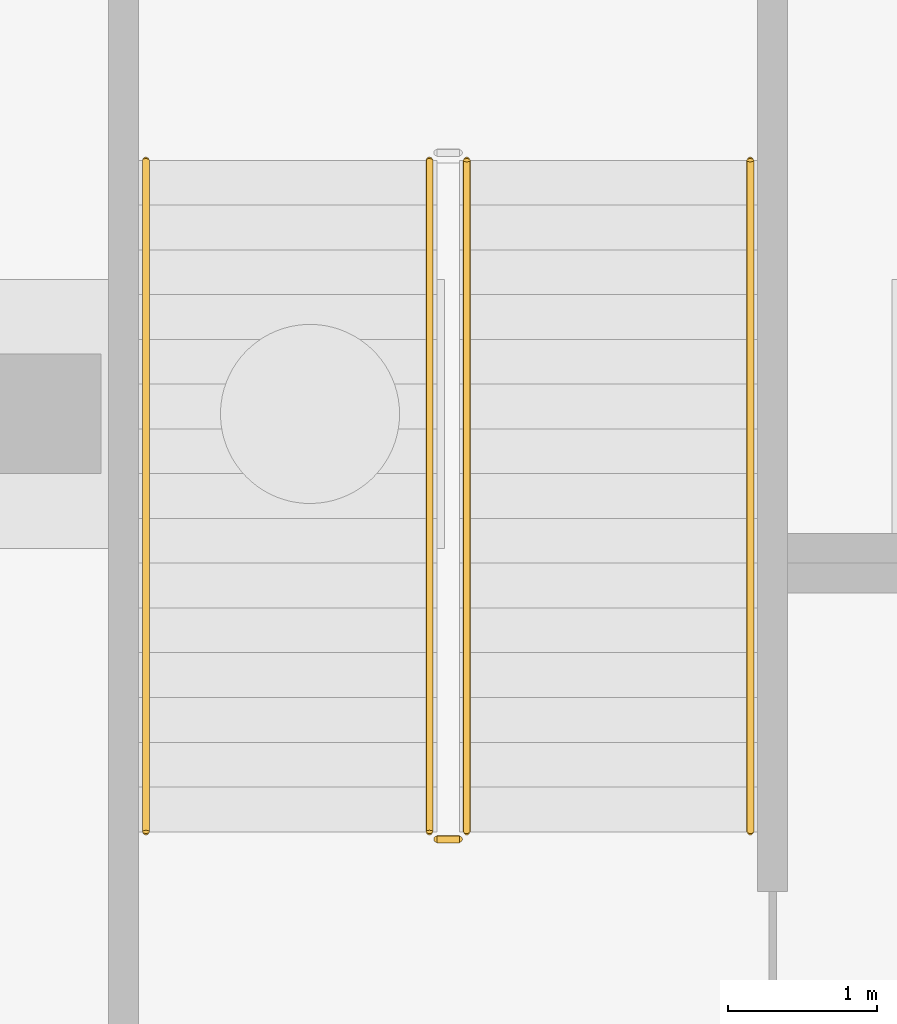
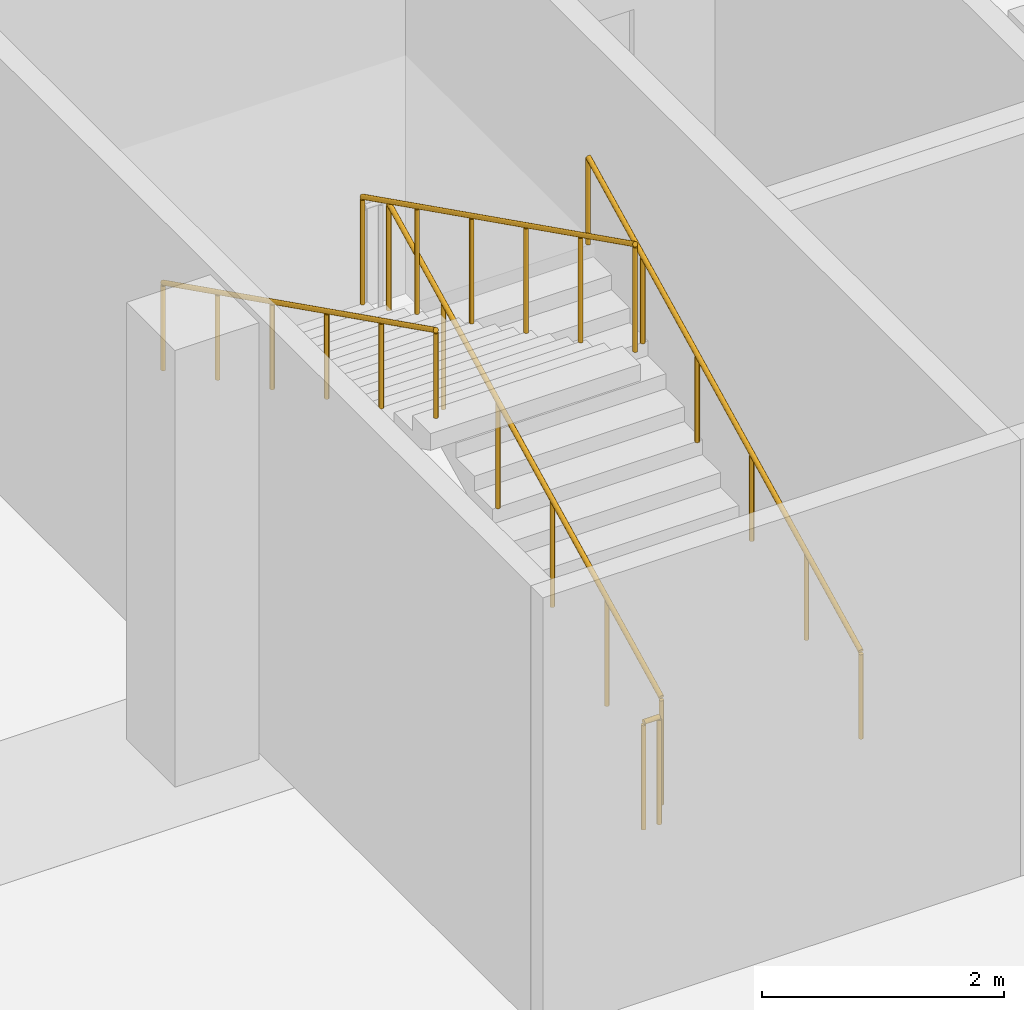
# One storey, part 32 of 46: 5 railings.
"""IFC4 building model written with IfcOpenShell, lengths in metres."""

from ifc_helpers import new_model, si_unit, direction, frame, origin, origin_2d, place, context, subcontext, project, spatial, circle, extrude, material, type_object, element, save


model = new_model("IFC4")

# Units and contexts
model_context = context("Model", 3, precision=1e-05, world=origin(), true_north=direction((0.0, 1.0)))
body_context = subcontext(model_context, "Body", "Model", "MODEL_VIEW")
ifc_project = project(units=[si_unit("LENGTHUNIT", "METRE"), si_unit("AREAUNIT", "SQUARE_METRE"), si_unit("VOLUMEUNIT", "CUBIC_METRE"), si_unit("PLANEANGLEUNIT", "RADIAN"), si_unit("MASSUNIT", "GRAM", prefix="KILO")], contexts=[model_context])

# Site, building, storey
site_placement = place(None, origin())
site = spatial("IfcSite", under=ifc_project, at=site_placement, CompositionType="ELEMENT")
building_placement = place(site_placement, origin())
building = spatial("IfcBuilding", under=site, at=building_placement, Name="Tamra Quay Hotel Tower", CompositionType="ELEMENT")
storey_placement = place(building_placement, frame((0.0, 0.0, -12.0)))
storey = spatial("IfcBuildingStorey", under=building, at=storey_placement, Name="B3", CompositionType="ELEMENT", Elevation=-12.0)

# Railings
ifc_material_1 = material(Name="Basement stair guard 1100")
railing_type_1 = type_object("IfcRailingType", Name="Basement stair guard 1100", PredefinedType="GUARDRAIL", material=ifc_material_1)
railing_1_placement = place(storey_placement, frame((-19.050048828125, -50.800048828125, 0.14990234375)))
element("IfcRailing", 1, at=railing_1_placement, inside=storey, type_object=railing_type_1, Name="BSG", PredefinedType="GUARDRAIL", context=body_context, shape_type="SweptSolid", body=[
    extrude(circle(Radius=0.02392578125, at=origin_2d()), frame((0.0, 0.0, 1.076171875), z_axis=(0.0, 0.894427191, 0.4472135955), x_axis=(-1.0, 0.0, 0.0)), (0.0, 0.0, 1.0), 5.03125),
    extrude(circle(Radius=0.02099609375, at=origin_2d()), origin(), (0.0, 0.0, 1.0), 1.052001953125),
    extrude(circle(Radius=0.02099609375, at=origin_2d()), frame((0.0, 0.89990234375, 0.449951171875)), (0.0, 0.0, 1.0), 1.052001953125),
    extrude(circle(Radius=0.02099609375, at=origin_2d()), frame((0.0, 1.800048828125, 0.89990234375)), (0.0, 0.0, 1.0), 1.052001953125),
    extrude(circle(Radius=0.02099609375, at=origin_2d()), frame((0.0, 2.699951171875, 1.35009765625)), (0.0, 0.0, 1.0), 1.052001953125),
    extrude(circle(Radius=0.02099609375, at=origin_2d()), frame((0.0, 3.60009765625, 1.800048828125)), (0.0, 0.0, 1.0), 1.052001953125),
    extrude(circle(Radius=0.02099609375, at=origin_2d()), frame((0.0, 4.5, 2.25)), (0.0, 0.0, 1.0), 1.052001953125),
])
railing_2_placement = place(storey_placement, frame((-19.300048828125, -46.300048828125, 2.550048828125)))
element("IfcRailing", 2, at=railing_2_placement, inside=storey, type_object=railing_type_1, Name="BSG", PredefinedType="GUARDRAIL", context=body_context, shape_type="SweptSolid", body=[
    extrude(circle(Radius=0.02392578125, at=origin_2d()), frame((0.0, 0.0, 1.076171875), z_axis=(0.0, -0.894427191, 0.4472135955), x_axis=(1.0, 0.0, 0.0)), (0.0, 0.0, 1.0), 5.03125),
    extrude(circle(Radius=0.02099609375, at=origin_2d()), origin(), (0.0, 0.0, 1.0), 1.052001953125),
    extrude(circle(Radius=0.02099609375, at=origin_2d()), frame((0.0, -0.89990234375, 0.449951171875)), (0.0, 0.0, 1.0), 1.052001953125),
    extrude(circle(Radius=0.02099609375, at=origin_2d()), frame((0.0, -1.800048828125, 0.89990234375)), (0.0, 0.0, 1.0), 1.052001953125),
    extrude(circle(Radius=0.02099609375, at=origin_2d()), frame((0.0, -2.699951171875, 1.35009765625)), (0.0, 0.0, 1.0), 1.052001953125),
    extrude(circle(Radius=0.02099609375, at=origin_2d()), frame((0.0, -3.60009765625, 1.800048828125)), (0.0, 0.0, 1.0), 1.052001953125),
    extrude(circle(Radius=0.02099609375, at=origin_2d()), frame((0.0, -4.5, 2.25)), (0.0, 0.0, 1.0), 1.052001953125),
])
railing_3_placement = place(storey_placement, frame((-19.10009765625, -50.85009765625, 0.0)))
element("IfcRailing", 3, at=railing_3_placement, inside=storey, type_object=railing_type_1, Name="BSG", PredefinedType="GUARDRAIL", context=body_context, shape_type="SweptSolid", body=[
    extrude(circle(Radius=0.02392578125, at=origin_2d()), frame((0.0, 0.0, 1.076171875), z_axis=(-1.0, 0.0, 0.0), x_axis=(0.0, -1.0, 0.0)), (0.0, 0.0, 1.0), 0.14990234375),
    extrude(circle(Radius=0.02099609375, at=origin_2d()), origin(), (0.0, 0.0, 1.0), 1.052001953125),
    extrude(circle(Radius=0.02099609375, at=origin_2d()), frame((-0.14990234375, 0.0, 0.0)), (0.0, 0.0, 1.0), 1.052001953125),
])
ifc_material_2 = material(Name="Basement stair handrail 900")
railing_type_2 = type_object("IfcRailingType", Name="Basement stair handrail 900", PredefinedType="HANDRAIL", material=ifc_material_2)
railing_4_placement = place(storey_placement, frame((-17.14990234375, -50.800048828125, 0.14990234375)))
element("IfcRailing", 4, at=railing_4_placement, inside=storey, type_object=railing_type_2, Name="BSH", PredefinedType="HANDRAIL", context=body_context, shape_type="SweptSolid", body=[
    extrude(circle(Radius=0.02392578125, at=origin_2d()), frame((0.0, 0.0, 0.8759765625), z_axis=(0.0, 0.894427191, 0.4472135955), x_axis=(-1.0, 0.0, 0.0)), (0.0, 0.0, 1.0), 5.03125),
    extrude(circle(Radius=0.02099609375, at=origin_2d()), origin(), (0.0, 0.0, 1.0), 0.851806640625),
    extrude(circle(Radius=0.02099609375, at=origin_2d()), frame((0.0, 0.89990234375, 0.449951171875)), (0.0, 0.0, 1.0), 0.851806640625),
    extrude(circle(Radius=0.02099609375, at=origin_2d()), frame((0.0, 1.800048828125, 0.89990234375)), (0.0, 0.0, 1.0), 0.851806640625),
    extrude(circle(Radius=0.02099609375, at=origin_2d()), frame((0.0, 2.699951171875, 1.35009765625)), (0.0, 0.0, 1.0), 0.851806640625),
    extrude(circle(Radius=0.02099609375, at=origin_2d()), frame((0.0, 3.60009765625, 1.800048828125)), (0.0, 0.0, 1.0), 0.851806640625),
    extrude(circle(Radius=0.02099609375, at=origin_2d()), frame((0.0, 4.5, 2.25)), (0.0, 0.0, 1.0), 0.851806640625),
])
railing_5_placement = place(storey_placement, frame((-21.199951171875, -46.300048828125, 2.550048828125)))
element("IfcRailing", 5, at=railing_5_placement, inside=storey, type_object=railing_type_2, Name="BSH", PredefinedType="HANDRAIL", context=body_context, shape_type="SweptSolid", body=[
    extrude(circle(Radius=0.02392578125, at=origin_2d()), frame((0.0, 0.0, 0.8759765625), z_axis=(0.0, -0.894427191, 0.4472135955), x_axis=(1.0, 0.0, 0.0)), (0.0, 0.0, 1.0), 5.03125),
    extrude(circle(Radius=0.02099609375, at=origin_2d()), origin(), (0.0, 0.0, 1.0), 0.851806640625),
    extrude(circle(Radius=0.02099609375, at=origin_2d()), frame((0.0, -0.89990234375, 0.449951171875)), (0.0, 0.0, 1.0), 0.851806640625),
    extrude(circle(Radius=0.02099609375, at=origin_2d()), frame((0.0, -1.800048828125, 0.89990234375)), (0.0, 0.0, 1.0), 0.851806640625),
    extrude(circle(Radius=0.02099609375, at=origin_2d()), frame((0.0, -2.699951171875, 1.35009765625)), (0.0, 0.0, 1.0), 0.851806640625),
    extrude(circle(Radius=0.02099609375, at=origin_2d()), frame((0.0, -3.60009765625, 1.800048828125)), (0.0, 0.0, 1.0), 0.851806640625),
    extrude(circle(Radius=0.02099609375, at=origin_2d()), frame((0.0, -4.5, 2.25)), (0.0, 0.0, 1.0), 0.851806640625),
])

save(model, "model.ifc")
